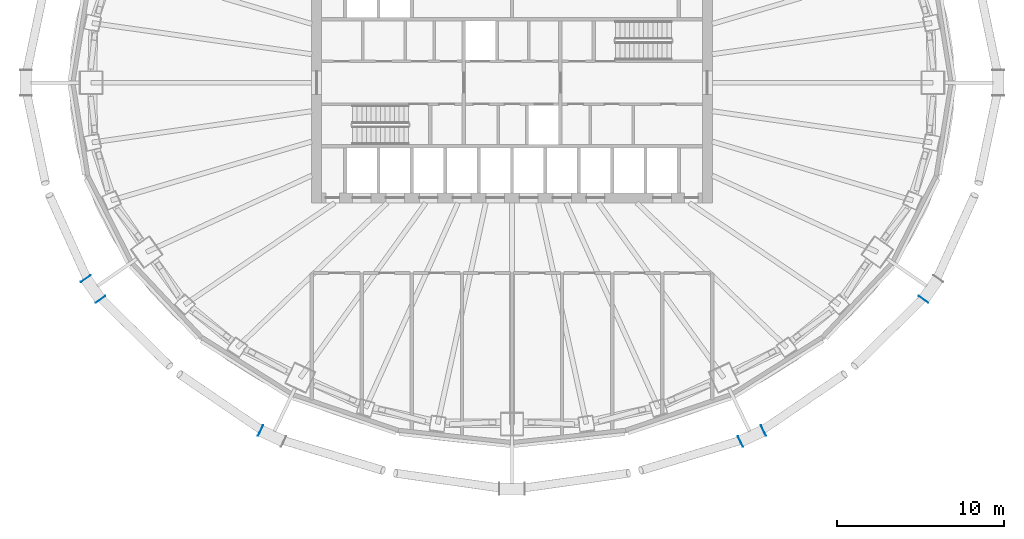
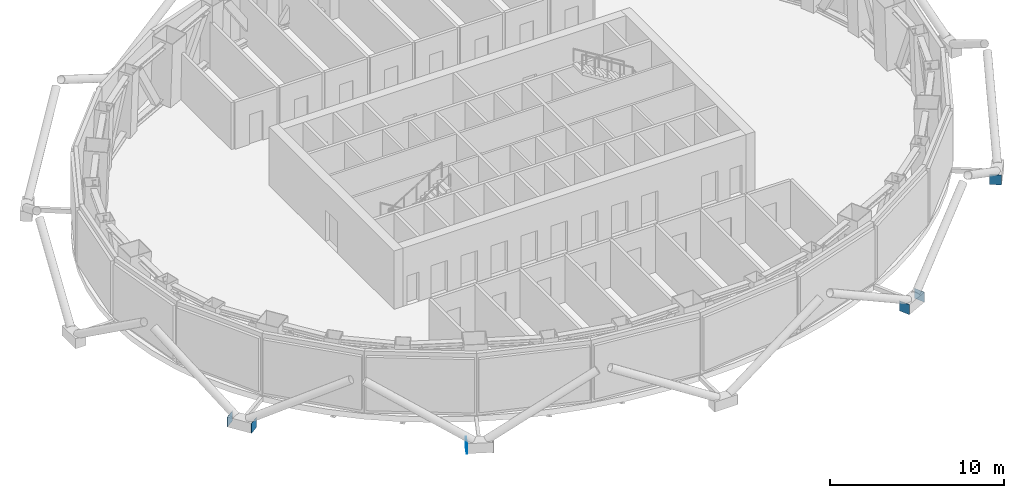
# One storey, part 9 of 18: 6 discrete accessories.
"""IFC4 building model written with IfcOpenShell, lengths in metres."""

from ifc_helpers import new_model, si_unit, direction, frame, origin, origin_2d, place, context, subcontext, project, spatial, rectangle, extrude, material, layer, layer_set, type_object, element, save


model = new_model("IFC4")

# Units and contexts
model_context = context("Model", 3, precision=1e-05, world=origin(), true_north=direction((0.0, 1.0)))
body_context = subcontext(model_context, "Body", "Model", "MODEL_VIEW")
ifc_project = project(units=[si_unit("LENGTHUNIT", "METRE"), si_unit("AREAUNIT", "SQUARE_METRE"), si_unit("VOLUMEUNIT", "CUBIC_METRE"), si_unit("PLANEANGLEUNIT", "RADIAN"), si_unit("MASSUNIT", "GRAM", prefix="KILO")], contexts=[model_context])

# Site, building, storey
site_placement = place(None, origin())
site = spatial("IfcSite", under=ifc_project, at=site_placement, CompositionType="ELEMENT")
building_placement = place(site_placement, origin())
building = spatial("IfcBuilding", under=site, at=building_placement, Name="Siaravel Broadcast Tower", CompositionType="ELEMENT")
storey_placement = place(building_placement, frame((0.0, 0.0, 92.60009765625)))
storey = spatial("IfcBuildingStorey", under=building, at=storey_placement, Name="L21", CompositionType="ELEMENT", Elevation=92.60009765625)

# Discrete accessories
ifc_material = material(Name="Steel S355", Category="steel")
ifc_layer = layer(ifc_material, 0.02001953125)
ifc_layer_set = layer_set([ifc_layer], Name="Steel S355")
discrete_accessory_type = type_object("IfcDiscreteAccessoryType", Name="Steel end plate 20 mm", PredefinedType="USERDEFINED", material=ifc_layer_set)
for number, where, z_axis, x_axis, name in (
    (1, (-24.660400390625, -12.9873046875, -0.55029296875), (0.0, 0.0, 1.0), (0.576118513, -0.817366172, 0.0), "End plate R09 station 42A"),
    (2, (-25.5400390625, -11.7392578125, -0.55029296875), (0.0, 0.0, 1.0), (0.576118513, -0.817366172, 0.0), "End plate R09 station 42B"),
    (3, (-15.06640625, -20.84326171875, -0.55029296875), (0.0, 0.0, 1.0), (0.904006456, -0.427518805, 0.0), "End plate R09 station 48B"),
    (4, (15.06640625, -20.84326171875, -0.55029296875), (0.0, 0.0, 1.0), (0.904006456, 0.427518805, 0.0), "End plate R09 station 60A"),
    (5, (13.68603515625, -21.49609375, -0.55029296875), (0.0, 0.0, 1.0), (0.904006456, 0.427518805, 0.0), "End plate R09 station 60B"),
    (6, (24.660400390625, -12.9873046875, -0.55029296875), (0.0, 0.0, 1.0), (0.576118513, 0.817366172, 0.0), "End plate R09 station 66B"),
):
    element("IfcDiscreteAccessory", number, at=place(storey_placement, frame(where, z_axis=z_axis, x_axis=x_axis)), inside=storey, type_object=discrete_accessory_type, Name=name, ObjectType="END PLATE", PredefinedType="USERDEFINED", context=body_context, shape_type="SweptSolid", body=[
        extrude(rectangle(XDim=0.02001953125, YDim=0.699951171875, at=origin_2d()), origin(), (0.0, 0.0, 1.0), 0.699951171875),
    ])

save(model, "model.ifc")
